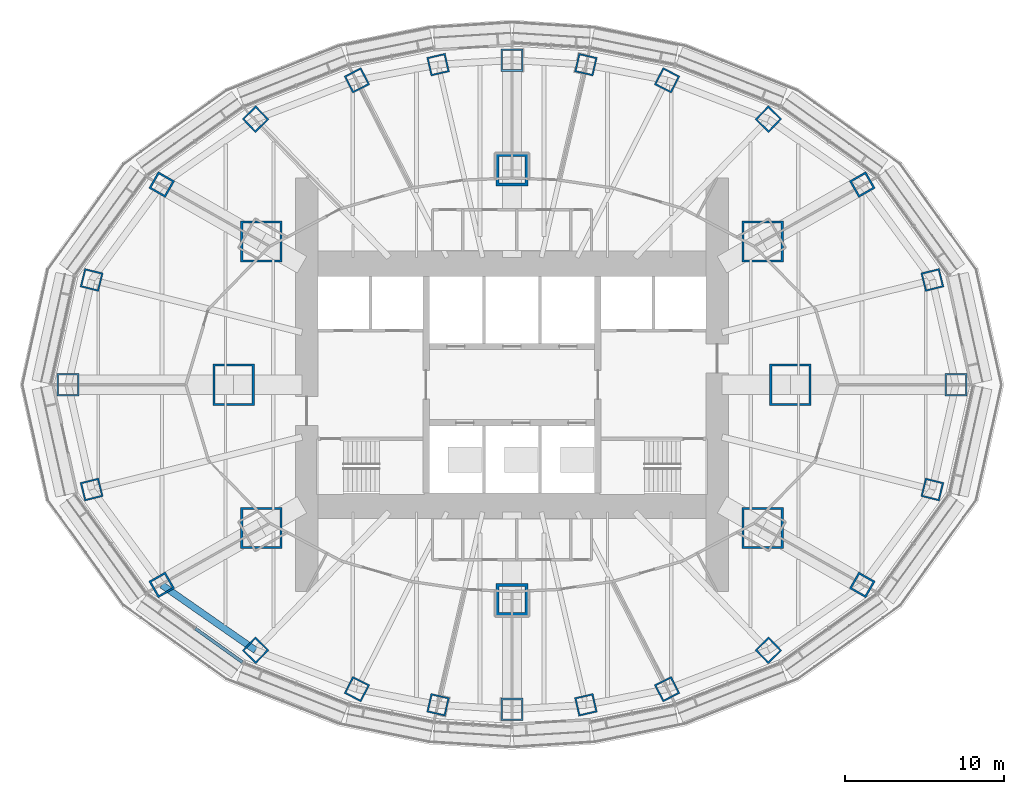
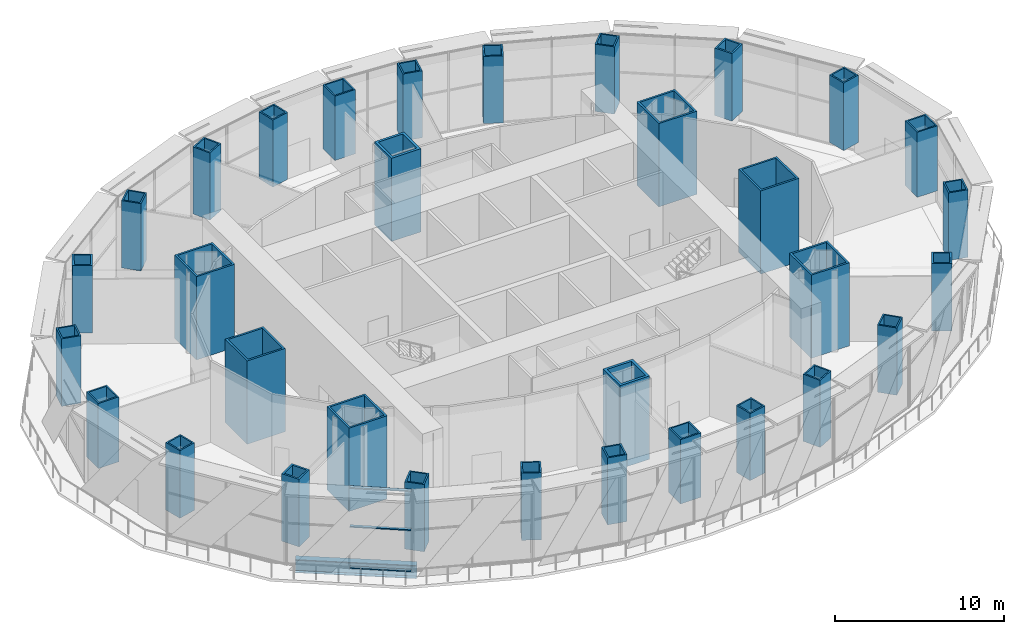
# One storey, part 1 of 21: 32 columns, 3 members, 1 beam, 1 element without a shape of its own.
"""IFC4 building model written with IfcOpenShell, lengths in metres."""

from ifc_helpers import new_model, si_unit, direction, frame, origin, origin_2d, place, context, subcontext, project, spatial, rectangle, hollow_rectangle, i_section, extrude, material, material_profile, profile_set, type_object, element, aggregate, save


model = new_model("IFC4")

# Units and contexts
model_context = context("Model", 3, precision=1e-05, world=origin(), true_north=direction((0.0, 1.0)))
body_context = subcontext(model_context, "Body", "Model", "MODEL_VIEW")
ifc_project = project(units=[si_unit("LENGTHUNIT", "METRE"), si_unit("AREAUNIT", "SQUARE_METRE"), si_unit("VOLUMEUNIT", "CUBIC_METRE"), si_unit("PLANEANGLEUNIT", "RADIAN"), si_unit("MASSUNIT", "GRAM", prefix="KILO")], contexts=[model_context])

# Site, building, storey
site_placement = place(None, origin())
site = spatial("IfcSite", under=ifc_project, at=site_placement, CompositionType="ELEMENT")
building_placement = place(site_placement, origin())
building = spatial("IfcBuilding", under=site, at=building_placement, Name="Lantaw Convention Tower", CompositionType="ELEMENT")
storey_placement = place(building_placement, frame((0.0, 0.0, 111.39990234375)))
storey = spatial("IfcBuildingStorey", under=building, at=storey_placement, Name="L26", CompositionType="ELEMENT", Elevation=111.39990234375)

# Columns
ifc_material_1 = material(Name="Steel EN 10025-3 S460N", Category="steel")
ifc_material_profile_1 = material_profile(ifc_material_1, hollow_rectangle(XDim=2.0, YDim=2.0, WallThickness=0.169921875, at=origin_2d()), Name="BOX2000X170")
ifc_material_2 = material(Name="Concrete C60/75", Category="concrete")
ifc_material_profile_2 = material_profile(ifc_material_2, rectangle(XDim=1.659912109375, YDim=1.659912109375, at=origin_2d()), Name="Concrete fill of BOX2000X170")
ifc_profile_set_1 = profile_set([ifc_material_profile_1, ifc_material_profile_2], Name="Steel EN 10025-3 S460N")
column_type_1 = type_object("IfcColumnType", Name="Column MC BOX2000X170", PredefinedType="COLUMN", material=ifc_profile_set_1)
for number, where, z_axis, x_axis, name in (
    (1, (0.0, 13.5, 0.0), (0.0, 0.0, 1.0), (1.0, 0.0, 0.0), "Mega column M3"),
    (2, (0.0, -13.5, 0.0), (0.0, 0.0, 1.0), (1.0, 0.0, 0.0), "Mega column M7"),
):
    element("IfcColumn", number, at=place(storey_placement, frame(where, z_axis=z_axis, x_axis=x_axis)), inside=storey, type_object=column_type_1, Name=name, PredefinedType="COLUMN", context=body_context, shape_type="SweptSolid", body=[
        extrude(hollow_rectangle(XDim=2.0, YDim=2.0, WallThickness=0.169921875, at=origin_2d()), origin(), (0.0, 0.0, 1.0), 6.0),
    ])
ifc_material_profile_3 = material_profile(ifc_material_1, hollow_rectangle(XDim=2.60009765625, YDim=2.60009765625, WallThickness=0.1298828125, at=origin_2d()), Name="BOX2600X130")
ifc_material_profile_4 = material_profile(ifc_material_2, rectangle(XDim=2.340087890625, YDim=2.340087890625, at=origin_2d()), Name="Concrete fill of BOX2600X130")
ifc_profile_set_2 = profile_set([ifc_material_profile_3, ifc_material_profile_4], Name="Steel EN 10025-3 S460N")
column_type_2 = type_object("IfcColumnType", Name="Column MC BOX2600X130", PredefinedType="COLUMN", material=ifc_profile_set_2)
for number, where, z_axis, x_axis, name in (
    (3, (17.5, 0.0, 0.0), (0.0, 0.0, 1.0), (1.0, 0.0, 0.0), "Mega column M1"),
    (4, (15.75, 9.0, 0.0), (0.0, 0.0, 1.0), (1.0, 0.0, 0.0), "Mega column M2"),
    (5, (-15.75, 9.0, 0.0), (0.0, 0.0, 1.0), (1.0, 0.0, 0.0), "Mega column M4"),
    (6, (-17.5, 0.0, 0.0), (0.0, 0.0, 1.0), (1.0, 0.0, 0.0), "Mega column M5"),
    (7, (-15.75, -9.0, 0.0), (0.0, 0.0, 1.0), (1.0, 0.0, 0.0), "Mega column M6"),
    (8, (15.75, -9.0, 0.0), (0.0, 0.0, 1.0), (1.0, 0.0, 0.0), "Mega column M8"),
):
    element("IfcColumn", number, at=place(storey_placement, frame(where, z_axis=z_axis, x_axis=x_axis)), inside=storey, type_object=column_type_2, Name=name, PredefinedType="COLUMN", context=body_context, shape_type="SweptSolid", body=[
        extrude(hollow_rectangle(XDim=2.60009765625, YDim=2.60009765625, WallThickness=0.1298828125, at=origin_2d()), origin(), (0.0, 0.0, 1.0), 6.0),
    ])
ifc_material_profile_5 = material_profile(ifc_material_1, hollow_rectangle(XDim=1.199951171875, YDim=1.199951171875, WallThickness=0.10009765625, at=origin_2d()), Name="BOX1200X100")
ifc_material_profile_6 = material_profile(ifc_material_2, rectangle(XDim=1.0, YDim=1.0, at=origin_2d()), Name="Concrete fill of BOX1200X100")
ifc_profile_set_3 = profile_set([ifc_material_profile_5, ifc_material_profile_6], Name="Steel EN 10025-3 S460N")
column_type_3 = type_object("IfcColumnType", Name="Column PC BOX1200X100", PredefinedType="COLUMN", material=ifc_profile_set_3)
column_1_placement = place(storey_placement, frame((26.419921875, 6.587158203125, 1.131103515625), z_axis=(0.0, 0.0, 1.0), x_axis=(0.970295726276, 0.2419218956, 0.0)))
element("IfcColumn", 9, at=column_1_placement, inside=storey, type_object=column_type_3, Name="Perimeter column P2", PredefinedType="COLUMN", context=body_context, shape_type="SweptSolid", body=[
    extrude(hollow_rectangle(XDim=1.199951171875, YDim=1.199951171875, WallThickness=0.10009765625, at=origin_2d()), origin(), (0.0, 0.0, 1.0), 4.868896484375),
])
column_2_placement = place(storey_placement, frame((16.11767578125, 16.690185546875, 1.154541015625), z_axis=(0.0, 0.0, 1.0), x_axis=(0.694658370459, 0.719339800339, 0.0)))
element("IfcColumn", 10, at=column_2_placement, inside=storey, type_object=column_type_3, Name="Perimeter column P4", PredefinedType="COLUMN", context=body_context, shape_type="SweptSolid", body=[
    extrude(hollow_rectangle(XDim=1.199951171875, YDim=1.199951171875, WallThickness=0.10009765625, at=origin_2d()), origin(), (0.0, 0.0, 1.0), 4.845458984375),
])
column_3_placement = place(storey_placement, frame((9.74853515625, 19.1328125, 1.1650390625), z_axis=(0.0, 0.0, 1.0), x_axis=(0.45399049974, 0.891006524188, 0.0)))
element("IfcColumn", 11, at=column_3_placement, inside=storey, type_object=column_type_3, Name="Perimeter column P5", PredefinedType="COLUMN", context=body_context, shape_type="SweptSolid", body=[
    extrude(hollow_rectangle(XDim=1.199951171875, YDim=1.199951171875, WallThickness=0.10009765625, at=origin_2d()), origin(), (0.0, 0.0, 1.0), 4.8349609375),
])
for number, where, z_axis, x_axis, name in (
    (12, (4.64501953125, 20.1201171875, 1.169921875), (0.0, 0.0, 1.0), (0.224951054344, 0.974370064785, 0.0), "Perimeter column P6"),
    (13, (-4.64501953125, 20.1201171875, 1.169921875), (0.0, 0.0, 1.0), (0.974370064785, 0.224951054344, 0.0), "Perimeter column P8"),
):
    element("IfcColumn", number, at=place(storey_placement, frame(where, z_axis=z_axis, x_axis=x_axis)), inside=storey, type_object=column_type_3, Name=name, PredefinedType="COLUMN", context=body_context, shape_type="SweptSolid", body=[
        extrude(hollow_rectangle(XDim=1.199951171875, YDim=1.199951171875, WallThickness=0.10009765625, at=origin_2d()), origin(), (0.0, 0.0, 1.0), 4.830078125),
    ])
column_4_placement = place(storey_placement, frame((-9.74853515625, 19.1328125, 1.1650390625), z_axis=(0.0, 0.0, 1.0), x_axis=(0.891006524188, 0.45399049974, 0.0)))
element("IfcColumn", 14, at=column_4_placement, inside=storey, type_object=column_type_3, Name="Perimeter column P9", PredefinedType="COLUMN", context=body_context, shape_type="SweptSolid", body=[
    extrude(hollow_rectangle(XDim=1.199951171875, YDim=1.199951171875, WallThickness=0.10009765625, at=origin_2d()), origin(), (0.0, 0.0, 1.0), 4.8349609375),
])
column_5_placement = place(storey_placement, frame((-16.11767578125, 16.690185546875, 1.154541015625), z_axis=(0.0, 0.0, 1.0), x_axis=(0.719339800339, 0.694658370459, 0.0)))
element("IfcColumn", 15, at=column_5_placement, inside=storey, type_object=column_type_3, Name="Perimeter column P10", PredefinedType="COLUMN", context=body_context, shape_type="SweptSolid", body=[
    extrude(hollow_rectangle(XDim=1.199951171875, YDim=1.199951171875, WallThickness=0.10009765625, at=origin_2d()), origin(), (0.0, 0.0, 1.0), 4.845458984375),
])
for number, where, z_axis, x_axis, name in (
    (16, (-26.419921875, 6.587158203125, 1.131103515625), (0.0, 0.0, 1.0), (0.2419218956, 0.970295726276, 0.0), "Perimeter column P12"),
    (17, (-26.419921875, -6.587158203125, 1.131103515625), (0.0, 0.0, 1.0), (0.970295726276, 0.2419218956, 0.0), "Perimeter column P14"),
):
    element("IfcColumn", number, at=place(storey_placement, frame(where, z_axis=z_axis, x_axis=x_axis)), inside=storey, type_object=column_type_3, Name=name, PredefinedType="COLUMN", context=body_context, shape_type="SweptSolid", body=[
        extrude(hollow_rectangle(XDim=1.199951171875, YDim=1.199951171875, WallThickness=0.10009765625, at=origin_2d()), origin(), (0.0, 0.0, 1.0), 4.868896484375),
    ])
column_6_placement = place(storey_placement, frame((-16.11767578125, -16.690185546875, 1.154541015625), z_axis=(0.0, 0.0, 1.0), x_axis=(0.694658370459, 0.719339800339, 0.0)))
element("IfcColumn", 18, at=column_6_placement, inside=storey, type_object=column_type_3, Name="Perimeter column P16", PredefinedType="COLUMN", context=body_context, shape_type="SweptSolid", body=[
    extrude(hollow_rectangle(XDim=1.199951171875, YDim=1.199951171875, WallThickness=0.10009765625, at=origin_2d()), origin(), (0.0, 0.0, 1.0), 4.845458984375),
])
column_7_placement = place(storey_placement, frame((-9.74853515625, -19.1328125, 1.1650390625), z_axis=(0.0, 0.0, 1.0), x_axis=(0.45399049974, 0.891006524188, 0.0)))
element("IfcColumn", 19, at=column_7_placement, inside=storey, type_object=column_type_3, Name="Perimeter column P17", PredefinedType="COLUMN", context=body_context, shape_type="SweptSolid", body=[
    extrude(hollow_rectangle(XDim=1.199951171875, YDim=1.199951171875, WallThickness=0.10009765625, at=origin_2d()), origin(), (0.0, 0.0, 1.0), 4.8349609375),
])
for number, where, z_axis, x_axis, name in (
    (20, (-4.64501953125, -20.1201171875, 1.169921875), (0.0, 0.0, 1.0), (0.224951054344, 0.974370064785, 0.0), "Perimeter column P18"),
    (21, (4.64501953125, -20.1201171875, 1.169921875), (0.0, 0.0, 1.0), (0.974370064785, 0.224951054344, 0.0), "Perimeter column P20"),
):
    element("IfcColumn", number, at=place(storey_placement, frame(where, z_axis=z_axis, x_axis=x_axis)), inside=storey, type_object=column_type_3, Name=name, PredefinedType="COLUMN", context=body_context, shape_type="SweptSolid", body=[
        extrude(hollow_rectangle(XDim=1.199951171875, YDim=1.199951171875, WallThickness=0.10009765625, at=origin_2d()), origin(), (0.0, 0.0, 1.0), 4.830078125),
    ])
column_8_placement = place(storey_placement, frame((9.74853515625, -19.1328125, 1.1650390625), z_axis=(0.0, 0.0, 1.0), x_axis=(0.891006524188, 0.45399049974, 0.0)))
element("IfcColumn", 22, at=column_8_placement, inside=storey, type_object=column_type_3, Name="Perimeter column P21", PredefinedType="COLUMN", context=body_context, shape_type="SweptSolid", body=[
    extrude(hollow_rectangle(XDim=1.199951171875, YDim=1.199951171875, WallThickness=0.10009765625, at=origin_2d()), origin(), (0.0, 0.0, 1.0), 4.8349609375),
])
column_9_placement = place(storey_placement, frame((16.11767578125, -16.690185546875, 1.154541015625), z_axis=(0.0, 0.0, 1.0), x_axis=(0.719339800339, 0.694658370459, 0.0)))
element("IfcColumn", 23, at=column_9_placement, inside=storey, type_object=column_type_3, Name="Perimeter column P22", PredefinedType="COLUMN", context=body_context, shape_type="SweptSolid", body=[
    extrude(hollow_rectangle(XDim=1.199951171875, YDim=1.199951171875, WallThickness=0.10009765625, at=origin_2d()), origin(), (0.0, 0.0, 1.0), 4.845458984375),
])
column_10_placement = place(storey_placement, frame((26.419921875, -6.587158203125, 1.131103515625), z_axis=(0.0, 0.0, 1.0), x_axis=(0.2419218956, 0.970295726276, 0.0)))
element("IfcColumn", 24, at=column_10_placement, inside=storey, type_object=column_type_3, Name="Perimeter column P24", PredefinedType="COLUMN", context=body_context, shape_type="SweptSolid", body=[
    extrude(hollow_rectangle(XDim=1.199951171875, YDim=1.199951171875, WallThickness=0.10009765625, at=origin_2d()), origin(), (0.0, 0.0, 1.0), 4.868896484375),
])
ifc_material_profile_7 = material_profile(ifc_material_1, hollow_rectangle(XDim=1.199951171875, YDim=1.199951171875, WallThickness=0.1201171875, at=origin_2d()), Name="BOX1200X120")
ifc_material_profile_8 = material_profile(ifc_material_2, rectangle(XDim=0.9599609375, YDim=0.9599609375, at=origin_2d()), Name="Concrete fill of BOX1200X120")
ifc_profile_set_4 = profile_set([ifc_material_profile_7, ifc_material_profile_8], Name="Steel EN 10025-3 S460N")
column_type_4 = type_object("IfcColumnType", Name="Column PC BOX1200X120", PredefinedType="COLUMN", material=ifc_profile_set_4)
for number, where, z_axis, x_axis, name in (
    (25, (22.013916015625, 12.579345703125, 1.141845703125), (0.0, 0.0, 1.0), (0.86824298017, 0.496139221777, 0.0), "Perimeter column P3"),
    (26, (-22.013916015625, 12.579345703125, 1.141845703125), (0.0, 0.0, 1.0), (0.496139221777, 0.86824298017, 0.0), "Perimeter column P11"),
    (27, (-22.013916015625, -12.579345703125, 1.141845703125), (0.0, 0.0, 1.0), (0.86824298017, 0.496139221777, 0.0), "Perimeter column P15"),
    (28, (22.013916015625, -12.579345703125, 1.141845703125), (0.0, 0.0, 1.0), (0.496139221777, 0.86824298017, 0.0), "Perimeter column P23"),
):
    element("IfcColumn", number, at=place(storey_placement, frame(where, z_axis=z_axis, x_axis=x_axis)), inside=storey, type_object=column_type_4, Name=name, PredefinedType="COLUMN", context=body_context, shape_type="SweptSolid", body=[
        extrude(hollow_rectangle(XDim=1.199951171875, YDim=1.199951171875, WallThickness=0.1201171875, at=origin_2d()), origin(), (0.0, 0.0, 1.0), 4.858154296875),
    ])
ifc_material_profile_9 = material_profile(ifc_material_1, hollow_rectangle(XDim=1.39990234375, YDim=1.39990234375, WallThickness=0.10009765625, at=origin_2d()), Name="BOX1400X100")
ifc_material_profile_10 = material_profile(ifc_material_2, rectangle(XDim=1.199951171875, YDim=1.199951171875, at=origin_2d()), Name="Concrete fill of BOX1400X100")
ifc_profile_set_5 = profile_set([ifc_material_profile_9, ifc_material_profile_10], Name="Steel EN 10025-3 S460N")
column_type_5 = type_object("IfcColumnType", Name="Column PC BOX1400X100", PredefinedType="COLUMN", material=ifc_profile_set_5)
column_11_placement = place(storey_placement, frame((27.89990234375, 0.0, 1.315673828125), z_axis=(0.0, 0.0, 1.0), x_axis=(1.0, 0.0, 0.0)))
element("IfcColumn", 29, at=column_11_placement, inside=storey, type_object=column_type_5, Name="Perimeter column P1", PredefinedType="COLUMN", context=body_context, shape_type="SweptSolid", body=[
    extrude(hollow_rectangle(XDim=1.39990234375, YDim=1.39990234375, WallThickness=0.10009765625, at=origin_2d()), origin(), (0.0, 0.0, 1.0), 4.684326171875),
])
column_12_placement = place(storey_placement, frame((0.0, 20.39990234375, 1.367431640625), z_axis=(0.0, 0.0, 1.0), x_axis=(1.0, 0.0, 0.0)))
element("IfcColumn", 30, at=column_12_placement, inside=storey, type_object=column_type_5, Name="Perimeter column P7", PredefinedType="COLUMN", context=body_context, shape_type="SweptSolid", body=[
    extrude(hollow_rectangle(XDim=1.39990234375, YDim=1.39990234375, WallThickness=0.10009765625, at=origin_2d()), origin(), (0.0, 0.0, 1.0), 4.632568359375),
])
column_13_placement = place(storey_placement, frame((-27.89990234375, 0.0, 1.315673828125), z_axis=(0.0, 0.0, 1.0), x_axis=(1.0, 0.0, 0.0)))
element("IfcColumn", 31, at=column_13_placement, inside=storey, type_object=column_type_5, Name="Perimeter column P13", PredefinedType="COLUMN", context=body_context, shape_type="SweptSolid", body=[
    extrude(hollow_rectangle(XDim=1.39990234375, YDim=1.39990234375, WallThickness=0.10009765625, at=origin_2d()), origin(), (0.0, 0.0, 1.0), 4.684326171875),
])
column_14_placement = place(storey_placement, frame((0.0, -20.39990234375, 1.367431640625), z_axis=(0.0, 0.0, 1.0), x_axis=(1.0, 0.0, 0.0)))
element("IfcColumn", 32, at=column_14_placement, inside=storey, type_object=column_type_5, Name="Perimeter column P19", PredefinedType="COLUMN", context=body_context, shape_type="SweptSolid", body=[
    extrude(hollow_rectangle(XDim=1.39990234375, YDim=1.39990234375, WallThickness=0.10009765625, at=origin_2d()), origin(), (0.0, 0.0, 1.0), 4.632568359375),
])

# Beam
ifc_material_3 = material(Name="Steel ASTM A992", Category="steel")
ifc_material_profile_11 = material_profile(ifc_material_3, i_section(OverallWidth=0.424072265625, OverallDepth=0.947509765625, WebThickness=0.02392578125, FlangeThickness=0.042724609375, FilletRadius=0.012451171875, at=origin_2d()), Name="W36X302")
ifc_profile_set_6 = profile_set([ifc_material_profile_11], Name="Steel ASTM A992")
beam_type = type_object("IfcBeamType", Name="Beam BC W36X302", PredefinedType="SPANDREL", material=ifc_profile_set_6)
beam_placement = place(storey_placement, frame((-22.013916015625, -12.579345703125, -0.673583984375), z_axis=(0.820310765287, -0.57191804339, 0.0), x_axis=(0.57191804339, 0.820310765287, 0.0)))
element("IfcBeam", 33, at=beam_placement, inside=storey, type_object=beam_type, Name="Belt truss chord 15", PredefinedType="SPANDREL", context=body_context, shape_type="SweptSolid", body=[
    extrude(i_section(OverallWidth=0.424072265625, OverallDepth=0.947509765625, WebThickness=0.02392578125, FlangeThickness=0.042724609375, FilletRadius=0.012451171875, at=origin_2d()), origin(), (0.0, 0.0, 1.0), 7.187744140625),
])

# Curtain wall, members
ifc_material_4 = material(Name="Aluminium framed curtain wall", Category="aluminium")
curtain_wall_type = type_object("IfcCurtainWallType", Name="Sky lobby curtain wall L26, pale aluminium", PredefinedType="USERDEFINED", material=ifc_material_4)
curtain_wall_placement = place(storey_placement, origin())
curtain_wall = element("IfcCurtainWall", 34, at=curtain_wall_placement, inside=storey, type_object=curtain_wall_type, Name="Sky lobby curtain wall L26, pale aluminium L26", ObjectType="STICK CURTAIN WALL", PredefinedType="USERDEFINED")
ifc_material_5 = material(Name="Aluminium 6063-T6", Category="aluminium")
ifc_material_profile_12 = material_profile(ifc_material_5, rectangle(XDim=0.199951171875, YDim=0.074951171875, at=origin_2d()), Name="CW-SL transom 75x200")
ifc_profile_set_7 = profile_set([ifc_material_profile_12], Name="Aluminium 6063-T6")
member_type = type_object("IfcMemberType", Name="CW-SL transom 75x200", PredefinedType="USERDEFINED", material=ifc_profile_set_7)
member_1_placement = place(storey_placement, frame((-19.89501953125, -15.3251953125, 0.03759765625), z_axis=(0.813219712688, -0.581956784388, 0.0), x_axis=(0.581956784388, 0.813219712688, 0.0)))
member_1 = element("IfcMember", 35, at=member_1_placement, type_object=member_type, Name="CW-SL transom 2.1", ObjectType="TRANSOM", PredefinedType="USERDEFINED", context=body_context, shape_type="SweptSolid", body=[
    extrude(rectangle(XDim=0.199951171875, YDim=0.074951171875, at=origin_2d()), origin(), (0.0, 0.0, 1.0), 3.630615234375),
])
member_2_placement = place(storey_placement, frame((-19.89501953125, -15.3251953125, 3.0), z_axis=(0.813219712688, -0.581956784388, 0.0), x_axis=(0.581956784388, 0.813219712688, 0.0)))
member_2 = element("IfcMember", 36, at=member_2_placement, type_object=member_type, Name="CW-SL transom 2.2", ObjectType="TRANSOM", PredefinedType="USERDEFINED", context=body_context, shape_type="SweptSolid", body=[
    extrude(rectangle(XDim=0.199951171875, YDim=0.074951171875, at=origin_2d()), origin(), (0.0, 0.0, 1.0), 3.630615234375),
])
member_3_placement = place(storey_placement, frame((-19.89501953125, -15.3251953125, 5.8125), z_axis=(0.813219712688, -0.581956784388, 0.0), x_axis=(0.581956784388, 0.813219712688, 0.0)))
member_3 = element("IfcMember", 37, at=member_3_placement, type_object=member_type, Name="CW-SL transom 2.3", ObjectType="TRANSOM", PredefinedType="USERDEFINED", context=body_context, shape_type="SweptSolid", body=[
    extrude(rectangle(XDim=0.199951171875, YDim=0.074951171875, at=origin_2d()), origin(), (0.0, 0.0, 1.0), 3.630615234375),
])
aggregate(curtain_wall, [member_1, member_2, member_3])

save(model, "model.ifc")
